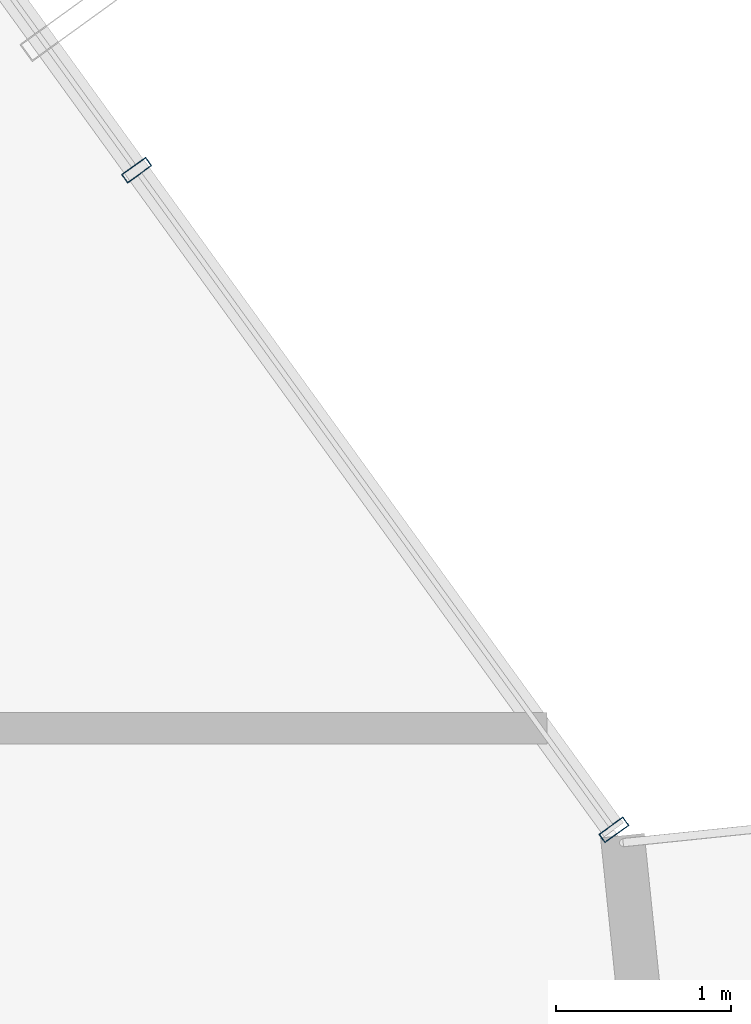
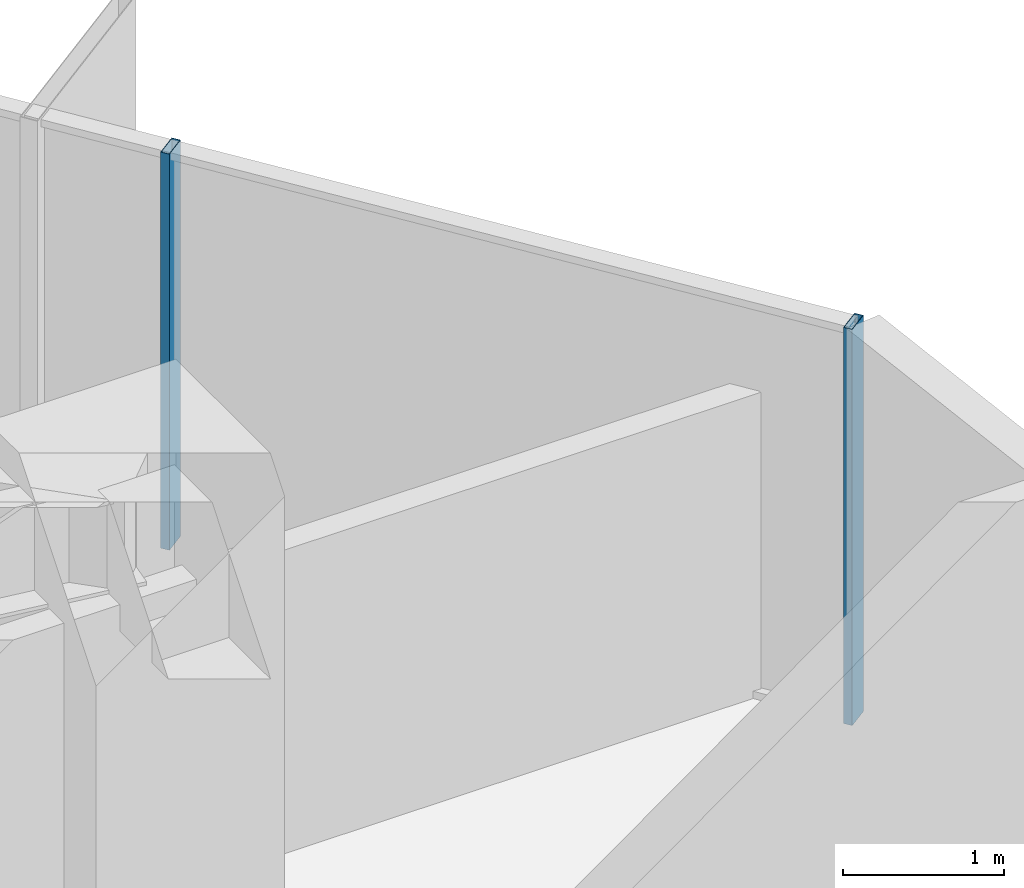
# One storey, part 20 of 37: 2 members, 1 element without a shape of its own.
"""IFC4 building model written with IfcOpenShell, lengths in metres."""

from ifc_helpers import new_model, si_unit, direction, frame, origin, origin_2d, place, context, subcontext, project, spatial, hollow_rectangle, extrude, source, transform, mapped, material, layer, layer_set, material_profile, profile_set, type_object, element, aggregate, save


model = new_model("IFC4")

# Units and contexts
model_context = context("Model", 3, precision=1e-05, world=origin(), true_north=direction((0.0, 1.0)))
body_context = subcontext(model_context, "Body", "Model", "MODEL_VIEW")
ifc_project = project(units=[si_unit("LENGTHUNIT", "METRE"), si_unit("AREAUNIT", "SQUARE_METRE"), si_unit("VOLUMEUNIT", "CUBIC_METRE"), si_unit("PLANEANGLEUNIT", "RADIAN"), si_unit("MASSUNIT", "GRAM", prefix="KILO")], contexts=[model_context])

# Site, building, storey
site_placement = place(None, origin())
site = spatial("IfcSite", under=ifc_project, at=site_placement, CompositionType="ELEMENT")
building_placement = place(site_placement, origin())
building = spatial("IfcBuilding", under=site, at=building_placement, Name="Veraguas Prism Commons", CompositionType="ELEMENT")
storey_placement = place(building_placement, frame((0.0, 0.0, 43.550048828125)))
storey = spatial("IfcBuildingStorey", under=building, at=storey_placement, Name="L11", CompositionType="ELEMENT", Elevation=43.550048828125)

# Curtain wall, members
ifc_material = material(Name="Anodised aluminium EN AW-6063 T6", Category="aluminium")
ifc_layer = layer(ifc_material, 0.169921875, Name="Unitised Flush Curtain Wall Zone 1", Category="aluminium")
ifc_layer_set = layer_set([ifc_layer], Name="Anodised aluminium EN AW-6063 T6")
curtain_wall_type = type_object("IfcCurtainWallType", Name="Unitised Flush Curtain Wall Zone 1", PredefinedType="NOTDEFINED", material=ifc_layer_set)
curtain_wall_placement = place(storey_placement, origin())
curtain_wall = element("IfcCurtainWall", 1, at=curtain_wall_placement, inside=storey, type_object=curtain_wall_type, Name="Tower Facade Curtain Wall L11-F1", PredefinedType="NOTDEFINED")
ifc_material_profile = material_profile(ifc_material, hollow_rectangle(XDim=0.06005859375, YDim=0.169921875, WallThickness=0.00390625, at=origin_2d()), Name="AL60X170X4")
ifc_profile_set = profile_set([ifc_material_profile], Name="Anodised aluminium EN AW-6063 T6")
member_type = type_object("IfcMemberType", Name="Curtain Wall Mullion Lower AL 60x170x4", PredefinedType="MULLION", material=ifc_profile_set)
shared_shape = source(origin(), body_context, "Body", "SweptSolid", [
    extrude(hollow_rectangle(XDim=0.06005859375, YDim=0.169921875, WallThickness=0.00390625, at=origin_2d()), origin(), (0.0, 0.0, 1.0), 3.0),
])
member_1_placement = place(storey_placement, frame((46.298095703125, 28.63671875, 0.0), z_axis=(0.0, 0.0, 1.0), x_axis=(-0.586086734847, 0.81024831949, 0.0)))
member_1 = element("IfcMember", 2, at=member_1_placement, type_object=member_type, Name="CW-Z1 Mullion 1", PredefinedType="MULLION", context=body_context, shape_type="MappedRepresentation", body=[
    mapped(shared_shape, transform((0.0, 0.0, 0.0), scale=1.0)),
])
member_2_placement = place(storey_placement, frame((43.578125, 32.39697265625, 0.0), z_axis=(0.0, 0.0, 1.0), x_axis=(-0.586086734847, 0.81024831949, 0.0)))
member_2 = element("IfcMember", 3, at=member_2_placement, type_object=member_type, Name="CW-Z1 Mullion 2", PredefinedType="MULLION", context=body_context, shape_type="MappedRepresentation", body=[
    mapped(shared_shape, transform((0.0, 0.0, 0.0), scale=1.0)),
])
aggregate(curtain_wall, [member_1, member_2])

save(model, "model.ifc")
